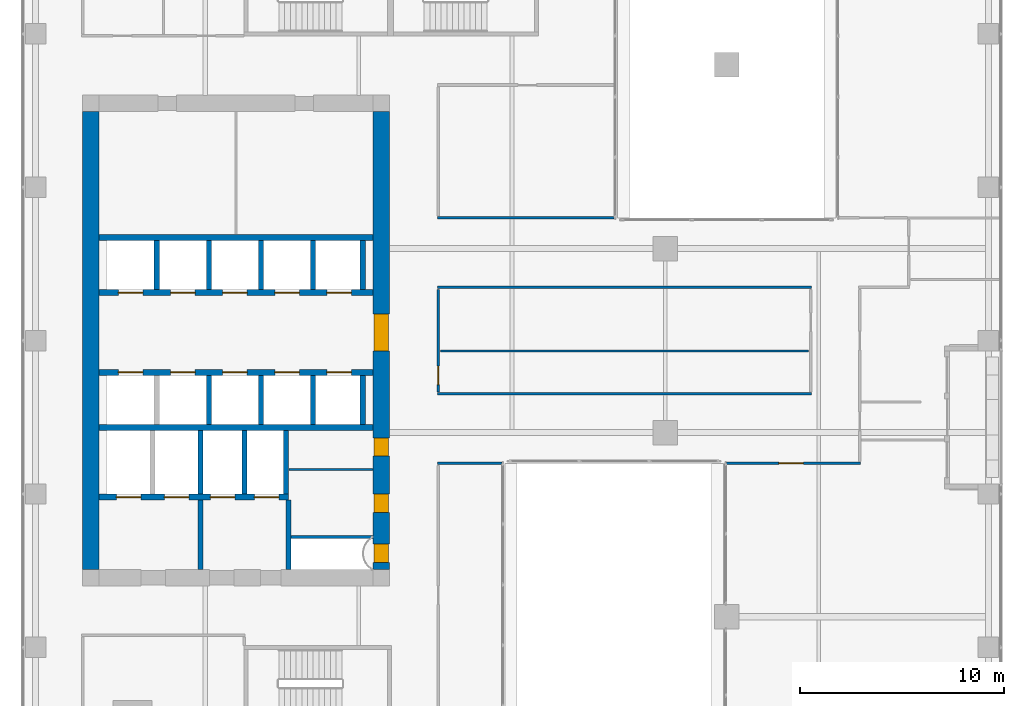
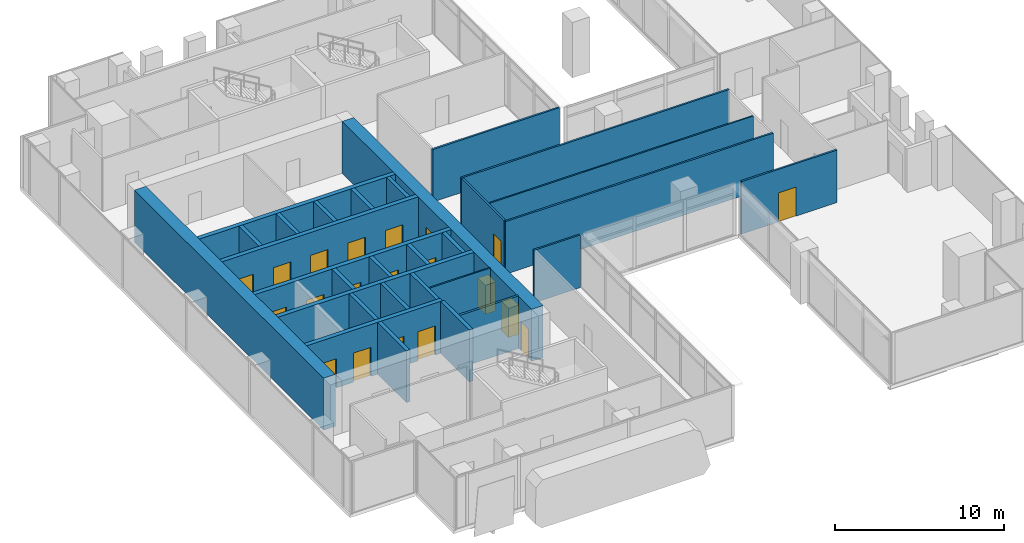
# One storey, part 33 of 38: 30 walls, 20 doors, 20 openings.
"""IFC4 building model written with IfcOpenShell, lengths in metres."""

import ifcopenshell
import ifcopenshell.guid

model = None  # the IFC model being written
_history = None  # IfcOwnerHistory: only IFC2X3 demands one
_inside = {}  # id of a spatial element -> (the spatial element, [elements in it])
_under = {}  # id of a project, library or spatial element -> (it, [spatial elements below it])
_declared = {}  # id of a project -> (the project, [libraries it declares])
_typed = {}  # id of a type object -> (the type object, [elements of that type])
_made_of = {}  # id of a material, layer set ... -> (it, [elements and type objects made of it])


def new_model(schema):
    """Start an empty IFC model of exactly this schema.

    Asked for "IFC4X3", IfcOpenShell would pick the latest addendum, in which some entities
    have other attributes; the version numbers below select the first issue.
    IFC2X3 requires an IfcOwnerHistory on every rooted entity: one is made here for all.
    """
    global model, _history
    if schema == "IFC4X3":
        model = ifcopenshell.file(schema_version=(4, 3, 0, 0))
    else:
        model = ifcopenshell.file(schema=schema)
    _inside.clear()
    _under.clear()
    _declared.clear()
    _typed.clear()
    _made_of.clear()
    _history = None
    if model.schema == "IFC2X3":
        org = make("IfcOrganization", Name="unknown")
        user = make(
            "IfcPersonAndOrganization",
            ThePerson=make("IfcPerson", FamilyName="unknown"),
            TheOrganization=org,
        )
        app = make(
            "IfcApplication",
            ApplicationDeveloper=org,
            Version="unknown",
            ApplicationFullName="unknown",
            ApplicationIdentifier="unknown",
        )
        _history = make(
            "IfcOwnerHistory",
            OwningUser=user,
            OwningApplication=app,
            ChangeAction="ADDED",
            CreationDate=0,
        )
    return model


def make(cls, **values):
    """One entity of the class cls with the attributes given. An attribute that is None is left unset."""
    return model.create_entity(
        cls, **{name: value for name, value in values.items() if value is not None}
    )


def rooted(cls, **values):
    """An entity with a GlobalId (a new one), such as an element, a storey or a relation."""
    return make(cls, GlobalId=ifcopenshell.guid.new(), OwnerHistory=_history, **values)


def si_unit(unit_type, name, prefix=None):
    """IfcSIUnit, for example si_unit("LENGTHUNIT", "METRE", prefix="MILLI")."""
    return make("IfcSIUnit", UnitType=unit_type, Prefix=prefix, Name=name)


def assignment(units):
    """IfcUnitAssignment: the units of a project."""
    return None if units is None else make("IfcUnitAssignment", Units=units)


def point(xyz):
    """IfcCartesianPoint."""
    return None if xyz is None else make("IfcCartesianPoint", Coordinates=xyz)


def direction(xyz):
    """IfcDirection."""
    return None if xyz is None else make("IfcDirection", DirectionRatios=xyz)


def frame(location, z_axis=None, x_axis=None):
    """IfcAxis2Placement3D, a coordinate frame: its origin and axes. An axis left out is left unset."""
    return make(
        "IfcAxis2Placement3D",
        Location=point(location),
        Axis=direction(z_axis),
        RefDirection=direction(x_axis),
    )


def frame_2d(location, x_axis=None):
    """IfcAxis2Placement2D, a coordinate frame in the plane: its origin and x axis."""
    return make(
        "IfcAxis2Placement2D", Location=point(location), RefDirection=direction(x_axis)
    )


def origin():
    """The frame at (0, 0, 0) with its axes left unset."""
    return frame((0.0, 0.0, 0.0))


def place(relative_to, where):
    """IfcLocalPlacement: puts the frame where relative to a parent placement (None: the world)."""
    return make(
        "IfcLocalPlacement", PlacementRelTo=relative_to, RelativePlacement=where
    )


def context(
    kind, dimensions, precision=None, world=None, true_north=None, identifier=None
):
    """IfcGeometricRepresentationContext, for example the 3D "Model" context."""
    return make(
        "IfcGeometricRepresentationContext",
        ContextIdentifier=identifier,
        ContextType=kind,
        CoordinateSpaceDimension=dimensions,
        Precision=precision,
        WorldCoordinateSystem=world,
        TrueNorth=true_north,
    )


def subcontext(parent, identifier, kind, view, scale=None):
    """IfcGeometricRepresentationSubContext, for example "Body" below "Model"."""
    return make(
        "IfcGeometricRepresentationSubContext",
        ContextIdentifier=identifier,
        ContextType=kind,
        ParentContext=parent,
        TargetScale=scale,
        TargetView=view,
    )


def project(units=None, contexts=None):
    """IfcProject with its units and contexts."""
    return rooted(
        "IfcProject",
        Name="project",
        RepresentationContexts=contexts,
        UnitsInContext=assignment(units),
    )


def spatial(cls, under=None, at=None, **own):
    """A site, building, storey or space (cls), placed at a placement, below another one or the project."""
    s = rooted(cls, ObjectPlacement=at, **own)
    if under is not None:
        _under.setdefault(under.id(), (under, []))[1].append(s)
    return s


def profile(cls, at=None, kind="AREA", **sizes):
    """A parametric profile (cls). Its sizes go by their IFC names, for example OverallWidth=200.0."""
    return make(cls, ProfileType=kind, Position=at, **sizes)


def rectangle(**sizes):
    """IfcRectangleProfileDef."""
    return profile("IfcRectangleProfileDef", **sizes)


def extrude(swept, where, along, depth):
    """IfcExtrudedAreaSolid: the profile swept, set in the frame where, extruded along a direction by depth."""
    return make(
        "IfcExtrudedAreaSolid",
        SweptArea=swept,
        Position=where,
        ExtrudedDirection=direction(along),
        Depth=depth,
    )


def shape(context_of_items, identifier, shape_type, items):
    """IfcShapeRepresentation: the items that make up one representation, for example the "Body"."""
    return make(
        "IfcShapeRepresentation",
        ContextOfItems=context_of_items,
        RepresentationIdentifier=identifier,
        RepresentationType=shape_type,
        Items=items,
    )


def source(mapping_origin, context_of_items, identifier, shape_type, items):
    """IfcRepresentationMap: a shape defined once, which mapped items show again and again."""
    return make(
        "IfcRepresentationMap",
        MappingOrigin=mapping_origin,
        MappedRepresentation=shape(context_of_items, identifier, shape_type, items),
    )


def transform(
    local_origin,
    x_axis=None,
    y_axis=None,
    z_axis=None,
    scale=None,
    scale2=None,
    scale3=None,
    uniform=True,
):
    """IfcCartesianTransformationOperator3D, or its non-uniform kind. x_axis, y_axis, z_axis: its Axis1, 2, 3."""
    if uniform:
        return make(
            "IfcCartesianTransformationOperator3D",
            Axis1=direction(x_axis),
            Axis2=direction(y_axis),
            LocalOrigin=point(local_origin),
            Scale=scale,
            Axis3=direction(z_axis),
        )
    return make(
        "IfcCartesianTransformationOperator3DnonUniform",
        Axis1=direction(x_axis),
        Axis2=direction(y_axis),
        LocalOrigin=point(local_origin),
        Scale=scale,
        Axis3=direction(z_axis),
        Scale2=scale2,
        Scale3=scale3,
    )


def mapped(mapping_source, mapping_target):
    """IfcMappedItem: shows the shape of a source again, moved by a transform."""
    return make(
        "IfcMappedItem", MappingSource=mapping_source, MappingTarget=mapping_target
    )


def material(Name=None, Category=None):
    """IfcMaterial."""
    return make("IfcMaterial", Name=Name, Category=Category)


def layer(
    of_material, thickness, ventilated=None, Name=None, Category=None, Priority=None
):
    """IfcMaterialLayer: one layer of a wall or slab, of a material (None: an air gap)."""
    return make(
        "IfcMaterialLayer",
        Material=of_material,
        LayerThickness=thickness,
        IsVentilated=ventilated,
        Name=Name,
        Category=Category,
        Priority=Priority,
    )


def layer_set(layers, Name=None):
    """IfcMaterialLayerSet."""
    return make("IfcMaterialLayerSet", MaterialLayers=layers, LayerSetName=Name)


def made_of(thing, what):
    """Note that an element or type object is made of a material, layer set ...; save() writes the relation."""
    if what is not None:
        _made_of.setdefault(what.id(), (what, []))[1].append(thing)
    return thing


def type_object(cls, material=None, **own):
    """A type object (cls), such as IfcWallType, which elements share."""
    return made_of(rooted(cls, **own), material)


def element(
    cls,
    number,
    at=None,
    inside=None,
    cuts=None,
    type_object=None,
    material=None,
    context=None,
    identifier="Body",
    shape_type=None,
    held_by="IfcProductDefinitionShape",
    body=None,
    shapes=None,
    **own,
):
    """One element of the class cls, such as IfcWall. Its Tag is "e" and its number.

    at: its placement. inside: the storey or other place that contains it. cuts: it is an
    opening in that element (IfcRelVoidsElement). A single representation is given by context,
    identifier, shape_type and body (its items); several are given by shapes. held_by: the class
    of the entity that holds the representations. save() writes the other relations.
    """
    e = rooted(cls, Tag="e%d" % number, ObjectPlacement=at, **own)
    if body is not None:
        shapes = [shape(context, identifier, shape_type, body)]
    if shapes is not None:
        e.Representation = make(held_by, Representations=shapes)
    if inside is not None:
        _inside.setdefault(inside.id(), (inside, []))[1].append(e)
    if cuts is not None:
        rooted(
            "IfcRelVoidsElement", RelatingBuildingElement=cuts, RelatedOpeningElement=e
        )
    if type_object is not None:
        _typed.setdefault(type_object.id(), (type_object, []))[1].append(e)
    return made_of(e, material)


def fill(opening, filler):
    """IfcRelFillsElement: the door or window that sits in an opening."""
    return rooted(
        "IfcRelFillsElement",
        RelatingOpeningElement=opening,
        RelatedBuildingElement=filler,
    )


def aggregate(whole, parts):
    """IfcRelAggregates: a whole, such as a stair, and the parts it consists of."""
    return rooted("IfcRelAggregates", RelatingObject=whole, RelatedObjects=parts)


def save(model, path):
    """Write the relations noted so far, then the file.

    IfcRelAggregates (storeys below a building ...), IfcRelContainedInSpatialStructure (elements
    in a storey), IfcRelDefinesByType, IfcRelAssociatesMaterial and IfcRelDeclares: one each for
    every whole, place, type object, material and project.
    """
    for whole, parts in _under.values():
        aggregate(whole, parts)
    for where, things in _inside.values():
        rooted(
            "IfcRelContainedInSpatialStructure",
            RelatedElements=things,
            RelatingStructure=where,
        )
    for kind, things in _typed.values():
        rooted("IfcRelDefinesByType", RelatedObjects=things, RelatingType=kind)
    for what, things in _made_of.values():
        rooted("IfcRelAssociatesMaterial", RelatedObjects=things, RelatingMaterial=what)
    for by, libraries in _declared.values():
        rooted("IfcRelDeclares", RelatingContext=by, RelatedDefinitions=libraries)
    model.write(path)


model = new_model("IFC4")

# Units and contexts
model_context = context("Model", 3, precision=1e-05, world=origin(), true_north=direction((0.0, 1.0)))
body_context = subcontext(model_context, "Body", "Model", "MODEL_VIEW")
ifc_project = project(units=[si_unit("LENGTHUNIT", "METRE"), si_unit("AREAUNIT", "SQUARE_METRE"), si_unit("VOLUMEUNIT", "CUBIC_METRE"), si_unit("PLANEANGLEUNIT", "RADIAN"), si_unit("MASSUNIT", "GRAM", prefix="KILO")], contexts=[model_context])

# Site, building, storey
site_placement = place(None, origin())
site = spatial("IfcSite", under=ifc_project, at=site_placement, CompositionType="ELEMENT")
building_placement = place(site_placement, origin())
building = spatial("IfcBuilding", under=site, at=building_placement, Name="Khomas Fold Tower", CompositionType="ELEMENT")
storey_placement = place(building_placement, frame((0.0, 0.0, 172.699951171875)))
storey = spatial("IfcBuildingStorey", under=building, at=storey_placement, Name="L37", CompositionType="ELEMENT", Elevation=172.699951171875)

# Wall, openings, doors
ifc_material_1 = material(Name="Concrete C60/75", Category="concrete")
ifc_layer_1 = layer(ifc_material_1, 0.800048828125)
ifc_layer_set_1 = layer_set([ifc_layer_1], Name="Concrete C60/75")
wall_type_1 = type_object("IfcWallType", Name="Core wall 800", PredefinedType="SHEAR", material=ifc_layer_set_1)
shared_shape_1 = source(origin(), body_context, "Body", "SweptSolid", [
    extrude(rectangle(XDim=22.39990234375, YDim=0.800048828125, at=frame_2d((11.199951171875, 0.0))), origin(), (0.0, 0.0, 1.0), 3.75),
])
wall_1_placement = place(storey_placement, frame((20.60009765625, 15.800048828125, 0.0), z_axis=(0.0, 0.0, 1.0), x_axis=(0.0, 1.0, 0.0)))
wall_1 = element("IfcWall", 1, at=wall_1_placement, inside=storey, type_object=wall_type_1, Name="Core wall CW-U-E-L35", PredefinedType="SHEAR", context=body_context, shape_type="MappedRepresentation", body=[
    mapped(shared_shape_1, transform((0.0, 0.0, 0.0))),
])
shared_shape_2 = source(origin(), body_context, "Body", "SweptSolid", [
    extrude(rectangle(XDim=1.800048828125, YDim=2.10009765625, at=frame_2d((0.89990234375, 1.050048828125))), frame((0.0, 0.409912109375, 0.0), z_axis=(0.0, -1.0, 0.0), x_axis=(1.0, 0.0, 0.0)), (0.0, 0.0, 1.0), 0.820068359375),
])
opening_1_placement = place(wall_1_placement, frame((10.699951171875, 0.0, 0.0)))
opening_1 = element("IfcOpeningElement", 2, at=opening_1_placement, cuts=wall_1, Name="Opening 0015", PredefinedType="OPENING", context=body_context, shape_type="MappedRepresentation", body=[
    mapped(shared_shape_2, transform((0.0, 0.0, 0.0))),
])
shared_shape_3 = source(origin(), body_context, "Body", "SweptSolid", [
    extrude(rectangle(XDim=0.89990234375, YDim=2.10009765625, at=frame_2d((0.449951171875, 1.050048828125))), frame((0.0, 0.409912109375, 0.0), z_axis=(0.0, -1.0, 0.0), x_axis=(1.0, 0.0, 0.0)), (0.0, 0.0, 1.0), 0.820068359375),
])
opening_2_placement = place(wall_1_placement, frame((0.35009765625, 0.0, 0.0)))
opening_2 = element("IfcOpeningElement", 3, at=opening_2_placement, cuts=wall_1, Name="Opening 0003", PredefinedType="OPENING", context=body_context, shape_type="MappedRepresentation", body=[
    mapped(shared_shape_3, transform((0.0, 0.0, 0.0))),
])
opening_3_placement = place(wall_1_placement, frame((2.800048828125, 0.0, 0.0)))
opening_3 = element("IfcOpeningElement", 4, at=opening_3_placement, cuts=wall_1, Name="Opening 0008", PredefinedType="OPENING", context=body_context, shape_type="MappedRepresentation", body=[
    mapped(shared_shape_3, transform((0.0, 0.0, 0.0))),
])
opening_4_placement = place(wall_1_placement, frame((5.550048828125, 0.0, 0.0)))
opening_4 = element("IfcOpeningElement", 5, at=opening_4_placement, cuts=wall_1, Name="Opening 0008", PredefinedType="OPENING", context=body_context, shape_type="MappedRepresentation", body=[
    mapped(shared_shape_3, transform((0.0, 0.0, 0.0))),
])
ifc_material_2 = material(Name="Steel door leaf", Category="steel")
door_type_1 = type_object("IfcDoorType", Name="Lobby door 1800x2100", OperationType="DOUBLE_DOOR_SINGLE_SWING", PredefinedType="DOOR", material=ifc_material_2)
shared_shape_4 = source(origin(), body_context, "Body", "SweptSolid", [
    extrude(rectangle(XDim=1.800048828125, YDim=2.10009765625, at=frame_2d((0.89990234375, 1.050048828125))), frame((0.0, 0.35009765625, 0.0), z_axis=(0.0, -1.0, 0.0), x_axis=(1.0, 0.0, 0.0)), (0.0, 0.0, 1.0), 0.699951171875),
])
door_1_placement = place(opening_1_placement, origin())
door_1 = element("IfcDoor", 6, at=door_1_placement, inside=storey, type_object=door_type_1, Name="Lobby door", OperationType="DOUBLE_DOOR_SINGLE_SWING", OverallHeight=2.10009765625, OverallWidth=1.800048828125, PredefinedType="DOOR", context=body_context, shape_type="MappedRepresentation", body=[
    mapped(shared_shape_4, transform((0.0, 0.0, 0.0))),
])
fill(opening_1, door_1)
ifc_material_3 = material(Name="Steel door leaf", Category="steel")
door_type_2 = type_object("IfcDoorType", Name="Plant room door 900x2100 right-hand", OperationType="SINGLE_SWING_RIGHT", PredefinedType="DOOR", material=ifc_material_3)
shared_shape_5 = source(origin(), body_context, "Body", "SweptSolid", [
    extrude(rectangle(XDim=0.89990234375, YDim=2.10009765625, at=frame_2d((0.449951171875, 1.050048828125))), frame((0.0, 0.35009765625, 0.0), z_axis=(0.0, -1.0, 0.0), x_axis=(1.0, 0.0, 0.0)), (0.0, 0.0, 1.0), 0.699951171875),
])
door_2_placement = place(opening_2_placement, origin())
door_2 = element("IfcDoor", 7, at=door_2_placement, inside=storey, type_object=door_type_2, Name="Plant room door", OperationType="SINGLE_SWING_RIGHT", OverallHeight=2.10009765625, OverallWidth=0.89990234375, PredefinedType="DOOR", context=body_context, shape_type="MappedRepresentation", body=[
    mapped(shared_shape_5, transform((0.0, 0.0, 0.0))),
])
fill(opening_2, door_2)
ifc_material_4 = material(Name="Timber door leaf", Category="wood")
door_type_3 = type_object("IfcDoorType", Name="Door 900x2100 right-hand", OperationType="SINGLE_SWING_RIGHT", PredefinedType="DOOR", material=ifc_material_4)
door_3_placement = place(opening_3_placement, origin())
door_3 = element("IfcDoor", 8, at=door_3_placement, inside=storey, type_object=door_type_3, Name="Door", OperationType="SINGLE_SWING_RIGHT", OverallHeight=2.10009765625, OverallWidth=0.89990234375, PredefinedType="DOOR", context=body_context, shape_type="MappedRepresentation", body=[
    mapped(shared_shape_5, transform((0.0, 0.0, 0.0))),
])
fill(opening_3, door_3)
door_4_placement = place(opening_4_placement, origin())
door_4 = element("IfcDoor", 9, at=door_4_placement, inside=storey, type_object=door_type_3, Name="Door", OperationType="SINGLE_SWING_RIGHT", OverallHeight=2.10009765625, OverallWidth=0.89990234375, PredefinedType="DOOR", context=body_context, shape_type="MappedRepresentation", body=[
    mapped(shared_shape_5, transform((0.0, 0.0, 0.0))),
])
fill(opening_4, door_4)

# Walls
wall_2_placement = place(storey_placement, frame((6.39990234375, 15.800048828125, 0.0), z_axis=(0.0, 0.0, 1.0), x_axis=(0.0, 1.0, 0.0)))
element("IfcWall", 10, at=wall_2_placement, inside=storey, type_object=wall_type_1, Name="Core wall CW-U-W-L35", PredefinedType="SHEAR", context=body_context, shape_type="MappedRepresentation", body=[
    mapped(shared_shape_1, transform((0.0, 0.0, 0.0))),
])
ifc_material_5 = material(Name="Concrete C50/60", Category="concrete")
ifc_layer_2 = layer(ifc_material_5, 0.300048828125)
ifc_layer_set_2 = layer_set([ifc_layer_2], Name="Concrete C50/60")
wall_type_2 = type_object("IfcWallType", Name="Shaft wall 300", PredefinedType="STANDARD", material=ifc_layer_set_2)
shared_shape_6 = source(origin(), body_context, "Body", "SweptSolid", [
    extrude(rectangle(XDim=13.39990234375, YDim=0.300048828125, at=frame_2d((6.699951171875, 0.0))), origin(), (0.0, 0.0, 1.0), 3.75),
])
for number, where, z_axis, x_axis, name in (
    (11, (6.800048828125, 22.75, 0.0), (0.0, 0.0, 1.0), (1.0, 0.0, 0.0), "Core wall SW-FS-B"),
    (12, (6.800048828125, 32.050048828125, 0.0), (0.0, 0.0, 1.0), (1.0, 0.0, 0.0), "Core wall SW-HRN-B"),
):
    element("IfcWall", number, at=place(storey_placement, frame(where, z_axis=z_axis, x_axis=x_axis)), inside=storey, type_object=wall_type_2, Name=name, PredefinedType="STANDARD", context=body_context, shape_type="MappedRepresentation", body=[
        mapped(shared_shape_6, transform((0.0, 0.0, 0.0))),
    ])

# Wall, openings, doors
wall_3_placement = place(storey_placement, frame((6.800048828125, 29.35009765625, 0.0), z_axis=(0.0, 0.0, 1.0), x_axis=(1.0, 0.0, 0.0)))
wall_3 = element("IfcWall", 13, at=wall_3_placement, inside=storey, type_object=wall_type_2, Name="Core wall SW-HRN-F", PredefinedType="STANDARD", context=body_context, shape_type="MappedRepresentation", body=[
    mapped(shared_shape_6, transform((0.0, 0.0, 0.0))),
])
shared_shape_7 = source(origin(), body_context, "Body", "SweptSolid", [
    extrude(rectangle(XDim=1.199951171875, YDim=2.10009765625, at=frame_2d((0.60009765625, 1.050048828125))), frame((0.0, 0.159912109375, 0.0), z_axis=(0.0, -1.0, 0.0), x_axis=(1.0, 0.0, 0.0)), (0.0, 0.0, 1.0), 0.320068359375),
])
opening_5_placement = place(wall_3_placement, frame((0.949951171875, 0.0, 0.0)))
opening_5 = element("IfcOpeningElement", 14, at=opening_5_placement, cuts=wall_3, Name="Opening LD-HR4", PredefinedType="OPENING", context=body_context, shape_type="MappedRepresentation", body=[
    mapped(shared_shape_7, transform((0.0, 0.0, 0.0))),
])
opening_6_placement = place(wall_3_placement, frame((3.5, 0.0, 0.0)))
opening_6 = element("IfcOpeningElement", 15, at=opening_6_placement, cuts=wall_3, Name="Opening LD-HR5", PredefinedType="OPENING", context=body_context, shape_type="MappedRepresentation", body=[
    mapped(shared_shape_7, transform((0.0, 0.0, 0.0))),
])
opening_7_placement = place(wall_3_placement, frame((6.050048828125, 0.0, 0.0)))
opening_7 = element("IfcOpeningElement", 16, at=opening_7_placement, cuts=wall_3, Name="Opening LD-HR6", PredefinedType="OPENING", context=body_context, shape_type="MappedRepresentation", body=[
    mapped(shared_shape_7, transform((0.0, 0.0, 0.0))),
])
opening_8_placement = place(wall_3_placement, frame((8.60009765625, 0.0, 0.0)))
opening_8 = element("IfcOpeningElement", 17, at=opening_8_placement, cuts=wall_3, Name="Opening LD-MR3", PredefinedType="OPENING", context=body_context, shape_type="MappedRepresentation", body=[
    mapped(shared_shape_7, transform((0.0, 0.0, 0.0))),
])
opening_9_placement = place(wall_3_placement, frame((11.14990234375, 0.0, 0.0)))
opening_9 = element("IfcOpeningElement", 18, at=opening_9_placement, cuts=wall_3, Name="Opening LD-MR4", PredefinedType="OPENING", context=body_context, shape_type="MappedRepresentation", body=[
    mapped(shared_shape_7, transform((0.0, 0.0, 0.0))),
])
ifc_material_6 = material(Name="Steel door leaf", Category="steel")
door_type_4 = type_object("IfcDoorType", Name="Landing door 1200x2100", OperationType="DOUBLE_DOOR_SLIDING", PredefinedType="DOOR", material=ifc_material_6)
shared_shape_8 = source(origin(), body_context, "Body", "SweptSolid", [
    extrude(rectangle(XDim=1.199951171875, YDim=2.10009765625, at=frame_2d((0.60009765625, 1.050048828125))), frame((0.0, 0.02490234375, 0.0), z_axis=(0.0, -1.0, 0.0), x_axis=(1.0, 0.0, 0.0)), (0.0, 0.0, 1.0), 0.050048828125),
])
door_5_placement = place(opening_5_placement, origin())
door_5 = element("IfcDoor", 19, at=door_5_placement, inside=storey, type_object=door_type_4, Name="Lift landing door", OperationType="DOUBLE_DOOR_SLIDING", OverallHeight=2.10009765625, OverallWidth=1.199951171875, PredefinedType="DOOR", context=body_context, shape_type="MappedRepresentation", body=[
    mapped(shared_shape_8, transform((0.0, 0.0, 0.0))),
])
fill(opening_5, door_5)
door_6_placement = place(opening_6_placement, origin())
door_6 = element("IfcDoor", 20, at=door_6_placement, inside=storey, type_object=door_type_4, Name="Lift landing door", OperationType="DOUBLE_DOOR_SLIDING", OverallHeight=2.10009765625, OverallWidth=1.199951171875, PredefinedType="DOOR", context=body_context, shape_type="MappedRepresentation", body=[
    mapped(shared_shape_8, transform((0.0, 0.0, 0.0))),
])
fill(opening_6, door_6)
door_7_placement = place(opening_7_placement, origin())
door_7 = element("IfcDoor", 21, at=door_7_placement, inside=storey, type_object=door_type_4, Name="Lift landing door", OperationType="DOUBLE_DOOR_SLIDING", OverallHeight=2.10009765625, OverallWidth=1.199951171875, PredefinedType="DOOR", context=body_context, shape_type="MappedRepresentation", body=[
    mapped(shared_shape_8, transform((0.0, 0.0, 0.0))),
])
fill(opening_7, door_7)
door_8_placement = place(opening_8_placement, origin())
door_8 = element("IfcDoor", 22, at=door_8_placement, inside=storey, type_object=door_type_4, Name="Lift landing door", OperationType="DOUBLE_DOOR_SLIDING", OverallHeight=2.10009765625, OverallWidth=1.199951171875, PredefinedType="DOOR", context=body_context, shape_type="MappedRepresentation", body=[
    mapped(shared_shape_8, transform((0.0, 0.0, 0.0))),
])
fill(opening_8, door_8)
door_9_placement = place(opening_9_placement, origin())
door_9 = element("IfcDoor", 23, at=door_9_placement, inside=storey, type_object=door_type_4, Name="Lift landing door", OperationType="DOUBLE_DOOR_SLIDING", OverallHeight=2.10009765625, OverallWidth=1.199951171875, PredefinedType="DOOR", context=body_context, shape_type="MappedRepresentation", body=[
    mapped(shared_shape_8, transform((0.0, 0.0, 0.0))),
])
fill(opening_9, door_9)

wall_4_placement = place(storey_placement, frame((6.800048828125, 25.449951171875, 0.0), z_axis=(0.0, 0.0, 1.0), x_axis=(1.0, 0.0, 0.0)))
wall_4 = element("IfcWall", 24, at=wall_4_placement, inside=storey, type_object=wall_type_2, Name="Core wall SW-HRS-F", PredefinedType="STANDARD", context=body_context, shape_type="MappedRepresentation", body=[
    mapped(shared_shape_6, transform((0.0, 0.0, 0.0))),
])
opening_10_placement = place(wall_4_placement, frame((0.949951171875, 0.0, 0.0)))
opening_10 = element("IfcOpeningElement", 25, at=opening_10_placement, cuts=wall_4, Name="Opening LD-HR1", PredefinedType="OPENING", context=body_context, shape_type="MappedRepresentation", body=[
    mapped(shared_shape_7, transform((0.0, 0.0, 0.0))),
])
opening_11_placement = place(wall_4_placement, frame((3.5, 0.0, 0.0)))
opening_11 = element("IfcOpeningElement", 26, at=opening_11_placement, cuts=wall_4, Name="Opening LD-HR2", PredefinedType="OPENING", context=body_context, shape_type="MappedRepresentation", body=[
    mapped(shared_shape_7, transform((0.0, 0.0, 0.0))),
])
opening_12_placement = place(wall_4_placement, frame((6.050048828125, 0.0, 0.0)))
opening_12 = element("IfcOpeningElement", 27, at=opening_12_placement, cuts=wall_4, Name="Opening LD-HR3", PredefinedType="OPENING", context=body_context, shape_type="MappedRepresentation", body=[
    mapped(shared_shape_7, transform((0.0, 0.0, 0.0))),
])
opening_13_placement = place(wall_4_placement, frame((8.60009765625, 0.0, 0.0)))
opening_13 = element("IfcOpeningElement", 28, at=opening_13_placement, cuts=wall_4, Name="Opening LD-MR1", PredefinedType="OPENING", context=body_context, shape_type="MappedRepresentation", body=[
    mapped(shared_shape_7, transform((0.0, 0.0, 0.0))),
])
opening_14_placement = place(wall_4_placement, frame((11.14990234375, 0.0, 0.0)))
opening_14 = element("IfcOpeningElement", 29, at=opening_14_placement, cuts=wall_4, Name="Opening LD-MR2", PredefinedType="OPENING", context=body_context, shape_type="MappedRepresentation", body=[
    mapped(shared_shape_7, transform((0.0, 0.0, 0.0))),
])
door_10_placement = place(opening_10_placement, origin())
door_10 = element("IfcDoor", 30, at=door_10_placement, inside=storey, type_object=door_type_4, Name="Lift landing door", OperationType="DOUBLE_DOOR_SLIDING", OverallHeight=2.10009765625, OverallWidth=1.199951171875, PredefinedType="DOOR", context=body_context, shape_type="MappedRepresentation", body=[
    mapped(shared_shape_8, transform((0.0, 0.0, 0.0))),
])
fill(opening_10, door_10)
door_11_placement = place(opening_11_placement, origin())
door_11 = element("IfcDoor", 31, at=door_11_placement, inside=storey, type_object=door_type_4, Name="Lift landing door", OperationType="DOUBLE_DOOR_SLIDING", OverallHeight=2.10009765625, OverallWidth=1.199951171875, PredefinedType="DOOR", context=body_context, shape_type="MappedRepresentation", body=[
    mapped(shared_shape_8, transform((0.0, 0.0, 0.0))),
])
fill(opening_11, door_11)
door_12_placement = place(opening_12_placement, origin())
door_12 = element("IfcDoor", 32, at=door_12_placement, inside=storey, type_object=door_type_4, Name="Lift landing door", OperationType="DOUBLE_DOOR_SLIDING", OverallHeight=2.10009765625, OverallWidth=1.199951171875, PredefinedType="DOOR", context=body_context, shape_type="MappedRepresentation", body=[
    mapped(shared_shape_8, transform((0.0, 0.0, 0.0))),
])
fill(opening_12, door_12)
door_13_placement = place(opening_13_placement, origin())
door_13 = element("IfcDoor", 33, at=door_13_placement, inside=storey, type_object=door_type_4, Name="Lift landing door", OperationType="DOUBLE_DOOR_SLIDING", OverallHeight=2.10009765625, OverallWidth=1.199951171875, PredefinedType="DOOR", context=body_context, shape_type="MappedRepresentation", body=[
    mapped(shared_shape_8, transform((0.0, 0.0, 0.0))),
])
fill(opening_13, door_13)
door_14_placement = place(opening_14_placement, origin())
door_14 = element("IfcDoor", 34, at=door_14_placement, inside=storey, type_object=door_type_4, Name="Lift landing door", OperationType="DOUBLE_DOOR_SLIDING", OverallHeight=2.10009765625, OverallWidth=1.199951171875, PredefinedType="DOOR", context=body_context, shape_type="MappedRepresentation", body=[
    mapped(shared_shape_8, transform((0.0, 0.0, 0.0))),
])
fill(opening_14, door_14)

shared_shape_9 = source(origin(), body_context, "Body", "SweptSolid", [
    extrude(rectangle(XDim=9.27490234375, YDim=0.300048828125, at=frame_2d((4.637451171875, 0.0))), origin(), (0.0, 0.0, 1.0), 3.75),
])
wall_5_placement = place(storey_placement, frame((6.800048828125, 19.35009765625, 0.0), z_axis=(0.0, 0.0, 1.0), x_axis=(1.0, 0.0, 0.0)))
wall_5 = element("IfcWall", 35, at=wall_5_placement, inside=storey, type_object=wall_type_2, Name="Core wall SW-FS-F", PredefinedType="STANDARD", context=body_context, shape_type="MappedRepresentation", body=[
    mapped(shared_shape_9, transform((0.0, 0.0, 0.0))),
])
opening_15_placement = place(wall_5_placement, frame((0.85009765625, 0.0, 0.0)))
opening_15 = element("IfcOpeningElement", 36, at=opening_15_placement, cuts=wall_5, Name="Opening LD-SV1", PredefinedType="OPENING", context=body_context, shape_type="MappedRepresentation", body=[
    mapped(shared_shape_7, transform((0.0, 0.0, 0.0))),
])
opening_16_placement = place(wall_5_placement, frame((3.199951171875, 0.0, 0.0)))
opening_16 = element("IfcOpeningElement", 37, at=opening_16_placement, cuts=wall_5, Name="Opening LD-SV2", PredefinedType="OPENING", context=body_context, shape_type="MappedRepresentation", body=[
    mapped(shared_shape_7, transform((0.0, 0.0, 0.0))),
])
opening_17_placement = place(wall_5_placement, frame((5.449951171875, 0.0, 0.0)))
opening_17 = element("IfcOpeningElement", 38, at=opening_17_placement, cuts=wall_5, Name="Opening LD-FF1", PredefinedType="OPENING", context=body_context, shape_type="MappedRepresentation", body=[
    mapped(shared_shape_7, transform((0.0, 0.0, 0.0))),
])
opening_18_placement = place(wall_5_placement, frame((7.60009765625, 0.0, 0.0)))
opening_18 = element("IfcOpeningElement", 39, at=opening_18_placement, cuts=wall_5, Name="Opening LD-FF2", PredefinedType="OPENING", context=body_context, shape_type="MappedRepresentation", body=[
    mapped(shared_shape_7, transform((0.0, 0.0, 0.0))),
])
door_15_placement = place(opening_15_placement, origin())
door_15 = element("IfcDoor", 40, at=door_15_placement, inside=storey, type_object=door_type_4, Name="Lift landing door", OperationType="DOUBLE_DOOR_SLIDING", OverallHeight=2.10009765625, OverallWidth=1.199951171875, PredefinedType="DOOR", context=body_context, shape_type="MappedRepresentation", body=[
    mapped(shared_shape_8, transform((0.0, 0.0, 0.0))),
])
fill(opening_15, door_15)
door_16_placement = place(opening_16_placement, origin())
door_16 = element("IfcDoor", 41, at=door_16_placement, inside=storey, type_object=door_type_4, Name="Lift landing door", OperationType="DOUBLE_DOOR_SLIDING", OverallHeight=2.10009765625, OverallWidth=1.199951171875, PredefinedType="DOOR", context=body_context, shape_type="MappedRepresentation", body=[
    mapped(shared_shape_8, transform((0.0, 0.0, 0.0))),
])
fill(opening_16, door_16)
door_17_placement = place(opening_17_placement, origin())
door_17 = element("IfcDoor", 42, at=door_17_placement, inside=storey, type_object=door_type_4, Name="Lift landing door", OperationType="DOUBLE_DOOR_SLIDING", OverallHeight=2.10009765625, OverallWidth=1.199951171875, PredefinedType="DOOR", context=body_context, shape_type="MappedRepresentation", body=[
    mapped(shared_shape_8, transform((0.0, 0.0, 0.0))),
])
fill(opening_17, door_17)
door_18_placement = place(opening_18_placement, origin())
door_18 = element("IfcDoor", 43, at=door_18_placement, inside=storey, type_object=door_type_4, Name="Lift landing door", OperationType="DOUBLE_DOOR_SLIDING", OverallHeight=2.10009765625, OverallWidth=1.199951171875, PredefinedType="DOOR", context=body_context, shape_type="MappedRepresentation", body=[
    mapped(shared_shape_8, transform((0.0, 0.0, 0.0))),
])
fill(opening_18, door_18)

# Walls
ifc_material_7 = material(Name="Concrete C50/60", Category="concrete")
ifc_layer_3 = layer(ifc_material_7, 0.25)
ifc_layer_set_3 = layer_set([ifc_layer_3], Name="Concrete C50/60")
wall_type_3 = type_object("IfcWallType", Name="Shaft wall 250", PredefinedType="STANDARD", material=ifc_layer_set_3)
shared_shape_10 = source(origin(), body_context, "Body", "SweptSolid", [
    extrude(rectangle(XDim=3.10009765625, YDim=0.25, at=frame_2d((1.550048828125, 0.0))), origin(), (0.0, 0.0, 1.0), 3.75),
])
for number, where, z_axis, x_axis, name in (
    (44, (11.77490234375, 19.5, 0.0), (0.0, 0.0, 1.0), (0.0, 1.0, 0.0), "Core wall SW-FS-P2"),
    (45, (13.925048828125, 19.5, 0.0), (0.0, 0.0, 1.0), (0.0, 1.0, 0.0), "Core wall SW-FS-P3"),
    (46, (15.949951171875, 19.5, 0.0), (0.0, 0.0, 1.0), (0.0, 1.0, 0.0), "Core wall SW-FS-PE"),
):
    element("IfcWall", number, at=place(storey_placement, frame(where, z_axis=z_axis, x_axis=x_axis)), inside=storey, type_object=wall_type_3, Name=name, PredefinedType="STANDARD", context=body_context, shape_type="MappedRepresentation", body=[
        mapped(shared_shape_10, transform((0.0, 0.0, 0.0))),
    ])
shared_shape_11 = source(origin(), body_context, "Body", "SweptSolid", [
    extrude(rectangle(XDim=2.39990234375, YDim=0.25, at=frame_2d((1.199951171875, 0.0))), origin(), (0.0, 0.0, 1.0), 3.75),
])
for number, where, z_axis, x_axis, name in (
    (47, (17.27490234375, 29.5, 0.0), (0.0, 0.0, 1.0), (0.0, 1.0, 0.0), "Core wall SW-HRN-MR-P1"),
    (48, (19.699951171875, 29.5, 0.0), (0.0, 0.0, 1.0), (0.0, 1.0, 0.0), "Core wall SW-HRN-MR-PE"),
    (49, (9.625, 29.5, 0.0), (0.0, 0.0, 1.0), (0.0, 1.0, 0.0), "Core wall SW-HRN-P1"),
    (50, (12.175048828125, 29.5, 0.0), (0.0, 0.0, 1.0), (0.0, 1.0, 0.0), "Core wall SW-HRN-P2"),
    (51, (14.72509765625, 29.5, 0.0), (0.0, 0.0, 1.0), (0.0, 1.0, 0.0), "Core wall SW-HRN-PE"),
):
    element("IfcWall", number, at=place(storey_placement, frame(where, z_axis=z_axis, x_axis=x_axis)), inside=storey, type_object=wall_type_3, Name=name, PredefinedType="STANDARD", context=body_context, shape_type="MappedRepresentation", body=[
        mapped(shared_shape_11, transform((0.0, 0.0, 0.0))),
    ])
shared_shape_12 = source(origin(), body_context, "Body", "SweptSolid", [
    extrude(rectangle(XDim=2.400146484375, YDim=0.25, at=frame_2d((1.2001953125, 0.0))), origin(), (0.0, 0.0, 1.0), 3.75),
])
for number, where, z_axis, x_axis, name in (
    (52, (17.27490234375, 22.89990234375, 0.0), (0.0, 0.0, 1.0), (0.0, 1.0, 0.0), "Core wall SW-HRS-MR-P1"),
    (53, (19.699951171875, 22.89990234375, 0.0), (0.0, 0.0, 1.0), (0.0, 1.0, 0.0), "Core wall SW-HRS-MR-PE"),
    (54, (12.175048828125, 22.89990234375, 0.0), (0.0, 0.0, 1.0), (0.0, 1.0, 0.0), "Core wall SW-HRS-P2"),
    (55, (14.72509765625, 22.89990234375, 0.0), (0.0, 0.0, 1.0), (0.0, 1.0, 0.0), "Core wall SW-HRS-PE"),
):
    element("IfcWall", number, at=place(storey_placement, frame(where, z_axis=z_axis, x_axis=x_axis)), inside=storey, type_object=wall_type_3, Name=name, PredefinedType="STANDARD", context=body_context, shape_type="MappedRepresentation", body=[
        mapped(shared_shape_12, transform((0.0, 0.0, 0.0))),
    ])
ifc_material_8 = material(Name="Concrete C50/60", Category="concrete")
ifc_layer_4 = layer(ifc_material_8, 0.25)
ifc_layer_set_4 = layer_set([ifc_layer_4], Name="Concrete C50/60")
wall_type_4 = type_object("IfcWallType", Name="Lobby wall 250", PredefinedType="STANDARD", material=ifc_layer_set_4)
shared_shape_13 = source(origin(), body_context, "Body", "SweptSolid", [
    extrude(rectangle(XDim=3.39990234375, YDim=0.25, at=frame_2d((1.699951171875, 0.0))), origin(), (0.0, 0.0, 1.0), 3.75),
])
for number, where, z_axis, x_axis, name in (
    (56, (16.074951171875, 15.800048828125, 0.0), (0.0, 0.0, 1.0), (0.0, 1.0, 0.0), "Core wall SW-FS-LOB-E"),
    (57, (11.77490234375, 15.800048828125, 0.0), (0.0, 0.0, 1.0), (0.0, 1.0, 0.0), "Core wall SW-FS-SEP"),
):
    element("IfcWall", number, at=place(storey_placement, frame(where, z_axis=z_axis, x_axis=x_axis)), inside=storey, type_object=wall_type_4, Name=name, PredefinedType="STANDARD", context=body_context, shape_type="MappedRepresentation", body=[
        mapped(shared_shape_13, transform((0.0, 0.0, 0.0))),
    ])
ifc_material_9 = material(Name="Plasterboard fire partition")
ifc_layer_5 = layer(ifc_material_9, 0.14990234375)
ifc_layer_set_5 = layer_set([ifc_layer_5], Name="Plasterboard fire partition")
wall_type_5 = type_object("IfcWallType", Name="Plant room wall PW3 150", PredefinedType="PARTITIONING", material=ifc_layer_set_5)
shared_shape_14 = source(origin(), body_context, "Body", "SweptSolid", [
    extrude(rectangle(XDim=4.0, YDim=0.14990234375, at=frame_2d((2.0, 0.0))), origin(), (0.0, 0.0, 1.0), 3.800048828125),
])
wall_6_placement = place(storey_placement, frame((16.199951171875, 17.39990234375, 0.0), z_axis=(0.0, 0.0, 1.0), x_axis=(1.0, 0.0, 0.0)))
element("IfcWall", 58, at=wall_6_placement, inside=storey, type_object=wall_type_5, Name="Plant room wall", PredefinedType="PARTITIONING", context=body_context, shape_type="MappedRepresentation", body=[
    mapped(shared_shape_14, transform((0.0, 0.0, 0.0))),
])
ifc_material_10 = material(Name="Plasterboard partition")
ifc_layer_6 = layer(ifc_material_10, 0.10009765625)
ifc_layer_set_6 = layer_set([ifc_layer_6], Name="Plasterboard partition")
wall_type_6 = type_object("IfcWallType", Name="Partition PW1 100", PredefinedType="PARTITIONING", material=ifc_layer_set_6)
shared_shape_15 = source(origin(), body_context, "Body", "SweptSolid", [
    extrude(rectangle(XDim=4.099853515625, YDim=0.10009765625, at=frame_2d((2.0498046875, 0.0))), origin(), (0.0, 0.0, 1.0), 3.800048828125),
])
wall_7_placement = place(storey_placement, frame((16.10009765625, 20.699951171875, 0.0), z_axis=(0.0, 0.0, 1.0), x_axis=(1.0, 0.0, 0.0)))
element("IfcWall", 59, at=wall_7_placement, inside=storey, type_object=wall_type_6, Name="Partition", PredefinedType="PARTITIONING", context=body_context, shape_type="MappedRepresentation", body=[
    mapped(shared_shape_15, transform((0.0, 0.0, 0.0))),
])
ifc_material_11 = material(Name="Plasterboard partition")
ifc_layer_7 = layer(ifc_material_11, 0.125)
ifc_layer_set_7 = layer_set([ifc_layer_7], Name="Plasterboard partition")
wall_type_7 = type_object("IfcWallType", Name="Partition PW2 125", PredefinedType="PARTITIONING", material=ifc_layer_set_7)
shared_shape_16 = source(origin(), body_context, "Body", "SweptSolid", [
    extrude(rectangle(XDim=18.2998046875, YDim=0.125, at=frame_2d((9.14990234375, 0.0))), origin(), (0.0, 0.0, 1.0), 3.800048828125),
])
for number, where, z_axis, x_axis, name in (
    (60, (23.35009765625, 24.39990234375, 0.0), (0.0, 0.0, 1.0), (1.0, 0.0, 0.0), "Partition"),
    (61, (23.35009765625, 29.60009765625, 0.0), (0.0, 0.0, 1.0), (1.0, 0.0, 0.0), "Partition"),
):
    element("IfcWall", number, at=place(storey_placement, frame(where, z_axis=z_axis, x_axis=x_axis)), inside=storey, type_object=wall_type_7, Name=name, PredefinedType="PARTITIONING", context=body_context, shape_type="MappedRepresentation", body=[
        mapped(shared_shape_16, transform((0.0, 0.0, 0.0))),
    ])

# Wall, opening, door
shared_shape_17 = source(origin(), body_context, "Body", "SweptSolid", [
    extrude(rectangle(XDim=5.0, YDim=0.125, at=frame_2d((2.5, 0.0))), origin(), (0.0, 0.0, 1.0), 3.800048828125),
])
wall_8_placement = place(storey_placement, frame((23.39990234375, 24.5, 0.0), z_axis=(0.0, 0.0, 1.0), x_axis=(0.0, 1.0, 0.0)))
wall_8 = element("IfcWall", 62, at=wall_8_placement, inside=storey, type_object=wall_type_7, Name="Partition", PredefinedType="PARTITIONING", context=body_context, shape_type="MappedRepresentation", body=[
    mapped(shared_shape_17, transform((0.0, 0.0, 0.0))),
])
shared_shape_18 = source(origin(), body_context, "Body", "SweptSolid", [
    extrude(rectangle(XDim=0.89990234375, YDim=2.10009765625, at=frame_2d((0.449951171875, 1.050048828125))), frame((0.0, 0.072509765625, 0.0), z_axis=(0.0, -1.0, 0.0), x_axis=(1.0, 0.0, 0.0)), (0.0, 0.0, 1.0), 0.14501953125),
])
opening_19_placement = place(wall_8_placement, frame((0.35009765625, 0.0, 0.0)))
opening_19 = element("IfcOpeningElement", 63, at=opening_19_placement, cuts=wall_8, Name="Opening 0007", PredefinedType="OPENING", context=body_context, shape_type="MappedRepresentation", body=[
    mapped(shared_shape_18, transform((0.0, 0.0, 0.0))),
])
ifc_material_12 = material(Name="Timber door leaf", Category="wood")
door_type_5 = type_object("IfcDoorType", Name="Door 900x2100 left-hand", OperationType="SINGLE_SWING_LEFT", PredefinedType="DOOR", material=ifc_material_12)
shared_shape_19 = source(origin(), body_context, "Body", "SweptSolid", [
    extrude(rectangle(XDim=0.89990234375, YDim=2.10009765625, at=frame_2d((0.449951171875, 1.050048828125))), frame((0.0, 0.02490234375, 0.0), z_axis=(0.0, -1.0, 0.0), x_axis=(1.0, 0.0, 0.0)), (0.0, 0.0, 1.0), 0.050048828125),
])
door_19_placement = place(opening_19_placement, origin())
door_19 = element("IfcDoor", 64, at=door_19_placement, inside=storey, type_object=door_type_5, Name="Door", OperationType="SINGLE_SWING_LEFT", OverallHeight=2.10009765625, OverallWidth=0.89990234375, PredefinedType="DOOR", context=body_context, shape_type="MappedRepresentation", body=[
    mapped(shared_shape_19, transform((0.0, 0.0, 0.0))),
])
fill(opening_19, door_19)

# Walls
shared_shape_20 = source(origin(), body_context, "Body", "SweptSolid", [
    extrude(rectangle(XDim=18.0, YDim=0.10009765625, at=frame_2d((9.0, 0.0))), origin(), (0.0, 0.0, 1.0), 3.800048828125),
])
wall_9_placement = place(storey_placement, frame((23.5, 26.5, 0.0), z_axis=(0.0, 0.0, 1.0), x_axis=(1.0, 0.0, 0.0)))
element("IfcWall", 65, at=wall_9_placement, inside=storey, type_object=wall_type_6, Name="Partition", PredefinedType="PARTITIONING", context=body_context, shape_type="MappedRepresentation", body=[
    mapped(shared_shape_20, transform((0.0, 0.0, 0.0))),
])
shared_shape_21 = source(origin(), body_context, "Body", "SweptSolid", [
    extrude(rectangle(XDim=3.14990234375, YDim=0.125, at=frame_2d((1.574951171875, 0.0))), origin(), (0.0, 0.0, 1.0), 3.800048828125),
])
wall_10_placement = place(storey_placement, frame((23.35009765625, 21.0, 0.0), z_axis=(0.0, 0.0, 1.0), x_axis=(1.0, 0.0, 0.0)))
element("IfcWall", 66, at=wall_10_placement, inside=storey, type_object=wall_type_7, Name="Partition", PredefinedType="PARTITIONING", context=body_context, shape_type="MappedRepresentation", body=[
    mapped(shared_shape_21, transform((0.0, 0.0, 0.0))),
])

# Wall, opening, door
shared_shape_22 = source(origin(), body_context, "Body", "SweptSolid", [
    extrude(rectangle(XDim=6.550048828125, YDim=0.125, at=frame_2d((3.27490234375, 0.0))), origin(), (0.0, 0.0, 1.0), 3.800048828125),
])
wall_11_placement = place(storey_placement, frame((37.5, 21.0, 0.0), z_axis=(0.0, 0.0, 1.0), x_axis=(1.0, 0.0, 0.0)))
wall_11 = element("IfcWall", 67, at=wall_11_placement, inside=storey, type_object=wall_type_7, Name="Partition", PredefinedType="PARTITIONING", context=body_context, shape_type="MappedRepresentation", body=[
    mapped(shared_shape_22, transform((0.0, 0.0, 0.0))),
])
shared_shape_23 = source(origin(), body_context, "Body", "SweptSolid", [
    extrude(rectangle(XDim=1.199951171875, YDim=2.10009765625, at=frame_2d((0.60009765625, 1.050048828125))), frame((0.0, 0.072509765625, 0.0), z_axis=(0.0, -1.0, 0.0), x_axis=(1.0, 0.0, 0.0)), (0.0, 0.0, 1.0), 0.14501953125),
])
opening_20_placement = place(wall_11_placement, frame((2.550048828125, 0.0, 0.0)))
opening_20 = element("IfcOpeningElement", 68, at=opening_20_placement, cuts=wall_11, Name="Opening 0013", PredefinedType="OPENING", context=body_context, shape_type="MappedRepresentation", body=[
    mapped(shared_shape_23, transform((0.0, 0.0, 0.0))),
])
ifc_material_13 = material(Name="Timber door leaf", Category="wood")
door_type_6 = type_object("IfcDoorType", Name="Door 1200x2100 left-hand", OperationType="SINGLE_SWING_LEFT", PredefinedType="DOOR", material=ifc_material_13)
door_20_placement = place(opening_20_placement, origin())
door_20 = element("IfcDoor", 69, at=door_20_placement, inside=storey, type_object=door_type_6, Name="Door", OperationType="SINGLE_SWING_LEFT", OverallHeight=2.10009765625, OverallWidth=1.199951171875, PredefinedType="DOOR", context=body_context, shape_type="MappedRepresentation", body=[
    mapped(shared_shape_8, transform((0.0, 0.0, 0.0))),
])
fill(opening_20, door_20)

# Wall
shared_shape_24 = source(origin(), body_context, "Body", "SweptSolid", [
    extrude(rectangle(XDim=8.64990234375, YDim=0.125, at=frame_2d((4.324951171875, 0.0))), origin(), (0.0, 0.0, 1.0), 3.800048828125),
])
wall_12_placement = place(storey_placement, frame((23.35009765625, 33.0, 0.0), z_axis=(0.0, 0.0, 1.0), x_axis=(1.0, 0.0, 0.0)))
element("IfcWall", 70, at=wall_12_placement, inside=storey, type_object=wall_type_7, Name="Partition", PredefinedType="PARTITIONING", context=body_context, shape_type="MappedRepresentation", body=[
    mapped(shared_shape_24, transform((0.0, 0.0, 0.0))),
])

save(model, "model.ifc")
